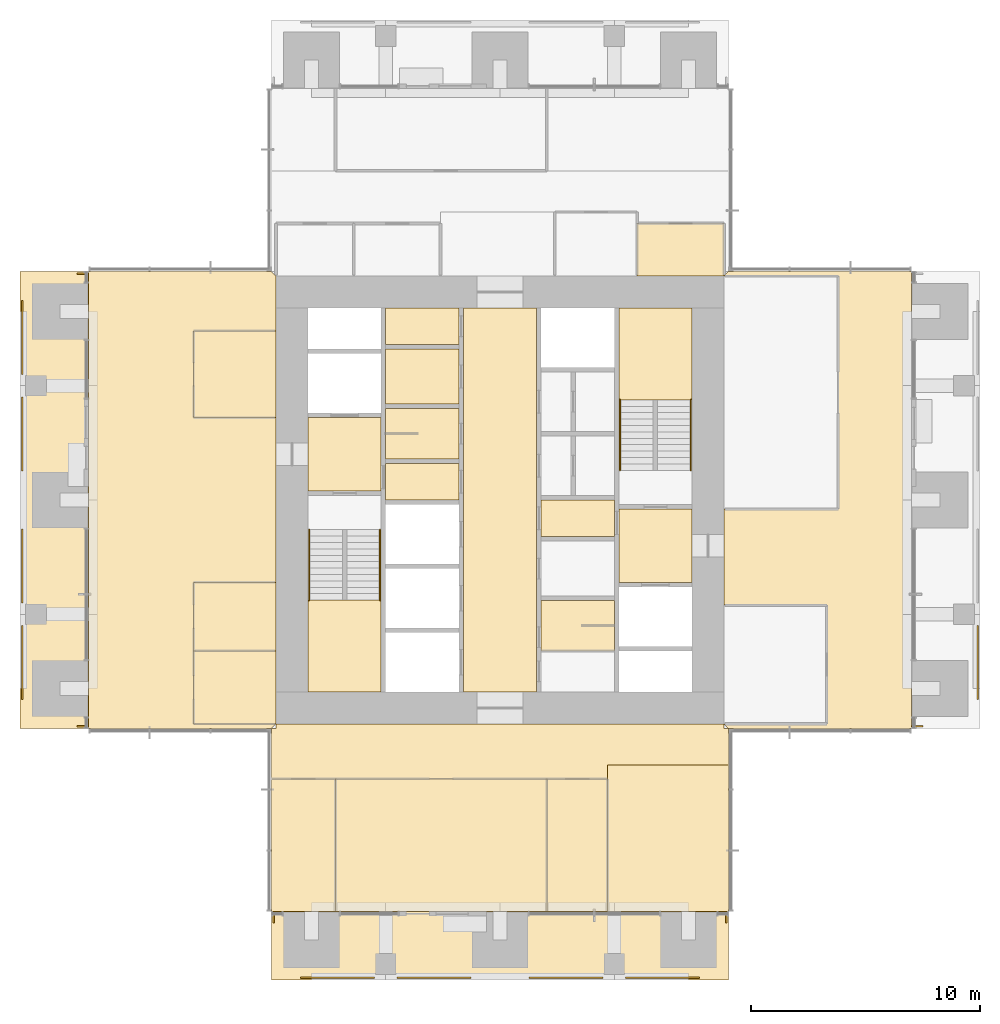
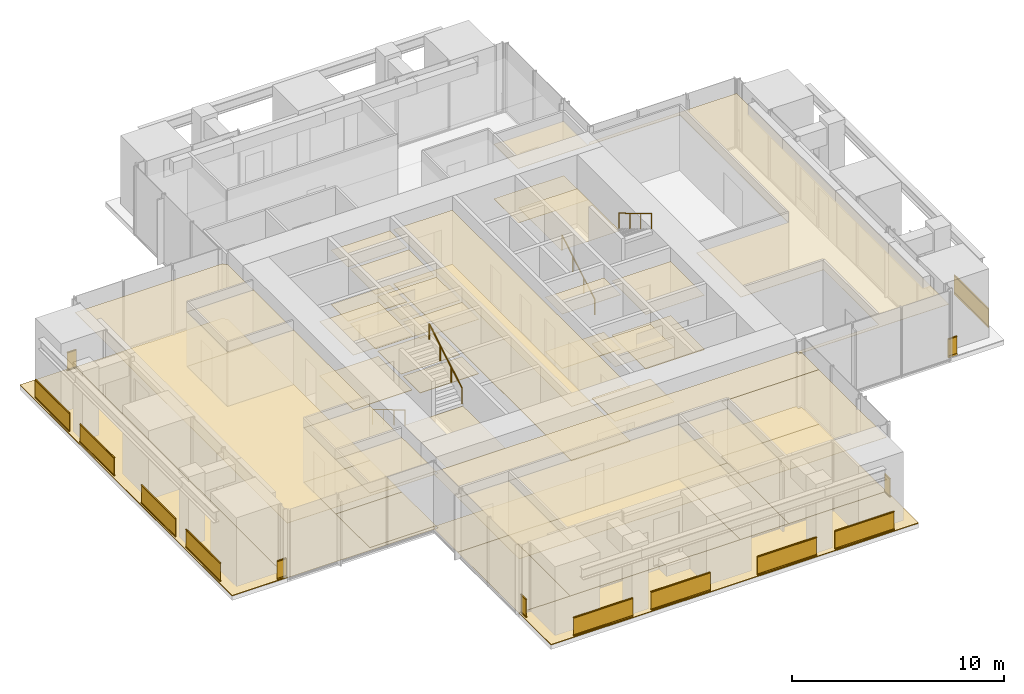
# One storey, part 15 of 17: 43 coverings, 18 railings.
"""IFC4 building model written with IfcOpenShell, lengths in metres."""

from ifc_helpers import new_model, si_unit, direction, frame, origin, origin_2d, place, context, subcontext, project, spatial, polyline, rectangle, circle, outline, extrude, material, layer, layer_set, type_object, element, save


model = new_model("IFC4")

# Units and contexts
model_context = context("Model", 3, precision=1e-05, world=origin(), true_north=direction((0.0, 1.0)))
body_context = subcontext(model_context, "Body", "Model", "MODEL_VIEW")
ifc_project = project(units=[si_unit("LENGTHUNIT", "METRE"), si_unit("AREAUNIT", "SQUARE_METRE"), si_unit("VOLUMEUNIT", "CUBIC_METRE"), si_unit("PLANEANGLEUNIT", "RADIAN"), si_unit("MASSUNIT", "GRAM", prefix="KILO")], contexts=[model_context])

# Site, building, storey
site_placement = place(None, origin())
site = spatial("IfcSite", under=ifc_project, at=site_placement, CompositionType="ELEMENT")
building_placement = place(site_placement, origin())
building = spatial("IfcBuilding", under=site, at=building_placement, Name="Svetlomir Tower", CompositionType="ELEMENT")
storey_placement = place(building_placement, frame((0.0, 0.0, 222.5)))
storey = spatial("IfcBuildingStorey", under=building, at=storey_placement, Name="L53", CompositionType="ELEMENT", Elevation=222.5)

# Railings
ifc_material_1 = material(Name="Bronze anodised aluminium and laminated glass", Category="aluminium")
railing_type_1 = type_object("IfcRailingType", Name="BALCONY GUARD GR1 1100", PredefinedType="GUARDRAIL", material=ifc_material_1)
for number, where, name in (
    (1, (12.27490234375, 0.10009765625, 0.0), "Loggia guard S L53 bay 1"),
    (2, (16.5, 0.10009765625, 0.0), "Loggia guard S L53 bay 2"),
    (3, (22.27490234375, 0.10009765625, 0.0), "Loggia guard S L53 bay 3"),
    (4, (26.5, 0.10009765625, 0.0), "Loggia guard S L53 bay 4"),
):
    element("IfcRailing", number, at=place(storey_placement, frame(where)), inside=storey, type_object=railing_type_1, Name=name, PredefinedType="GUARDRAIL", context=body_context, shape_type="SweptSolid", body=[
        extrude(rectangle(XDim=0.06005859375, YDim=0.10009765625, at=origin_2d()), frame((0.0, 0.0, 0.050048828125), z_axis=(1.0, 0.0, 0.0), x_axis=(0.0, 1.0, 0.0)), (0.0, 0.0, 1.0), 3.22509765625),
        extrude(rectangle(XDim=0.021484375, YDim=0.960205078125, at=origin_2d()), frame((0.0, 0.0, 0.580078125), z_axis=(1.0, 0.0, 0.0), x_axis=(0.0, 1.0, 0.0)), (0.0, 0.0, 1.0), 3.22509765625),
        extrude(rectangle(XDim=0.06005859375, YDim=0.0400390625, at=origin_2d()), frame((0.0, 0.0, 1.080078125), z_axis=(1.0, 0.0, 0.0), x_axis=(0.0, 1.0, 0.0)), (0.0, 0.0, 1.0), 3.22509765625),
    ])
for number, where, name in (
    (5, (11.10009765625, 2.5, 0.0), "Loggia guard S L53 end 1"),
    (6, (30.89990234375, 2.5, 0.0), "Loggia guard S L53 end 2"),
):
    element("IfcRailing", number, at=place(storey_placement, frame(where)), inside=storey, type_object=railing_type_1, Name=name, PredefinedType="GUARDRAIL", context=body_context, shape_type="SweptSolid", body=[
        extrude(rectangle(XDim=0.06005859375, YDim=0.10009765625, at=origin_2d()), frame((0.0, 0.0, 0.050048828125), z_axis=(0.0, 1.0, 0.0), x_axis=(-1.0, 0.0, 0.0)), (0.0, 0.0, 1.0), 0.5),
        extrude(rectangle(XDim=0.021484375, YDim=0.960205078125, at=origin_2d()), frame((0.0, 0.0, 0.580078125), z_axis=(0.0, 1.0, 0.0), x_axis=(-1.0, 0.0, 0.0)), (0.0, 0.0, 1.0), 0.5),
        extrude(rectangle(XDim=0.06005859375, YDim=0.0400390625, at=origin_2d()), frame((0.0, 0.0, 1.080078125), z_axis=(0.0, 1.0, 0.0), x_axis=(-1.0, 0.0, 0.0)), (0.0, 0.0, 1.0), 0.5),
    ])
railing_1_placement = place(storey_placement, frame((41.89990234375, 12.27490234375, 0.0)))
element("IfcRailing", 7, at=railing_1_placement, inside=storey, type_object=railing_type_1, Name="Loggia guard E L53 bay 1", PredefinedType="GUARDRAIL", context=body_context, shape_type="SweptSolid", body=[
    extrude(rectangle(XDim=0.06005859375, YDim=0.10009765625, at=origin_2d()), frame((0.0, 0.0, 0.050048828125), z_axis=(0.0, 1.0, 0.0), x_axis=(-1.0, 0.0, 0.0)), (0.0, 0.0, 1.0), 3.22509765625),
    extrude(rectangle(XDim=0.021484375, YDim=0.960205078125, at=origin_2d()), frame((0.0, 0.0, 0.580078125), z_axis=(0.0, 1.0, 0.0), x_axis=(-1.0, 0.0, 0.0)), (0.0, 0.0, 1.0), 3.22509765625),
    extrude(rectangle(XDim=0.06005859375, YDim=0.0400390625, at=origin_2d()), frame((0.0, 0.0, 1.080078125), z_axis=(0.0, 1.0, 0.0), x_axis=(-1.0, 0.0, 0.0)), (0.0, 0.0, 1.0), 3.22509765625),
])
railing_2_placement = place(storey_placement, frame((39.5, 11.10009765625, 0.0)))
element("IfcRailing", 8, at=railing_2_placement, inside=storey, type_object=railing_type_1, Name="Loggia guard E L53 end 1", PredefinedType="GUARDRAIL", context=body_context, shape_type="SweptSolid", body=[
    extrude(rectangle(XDim=0.06005859375, YDim=0.10009765625, at=origin_2d()), frame((0.0, 0.0, 0.050048828125), z_axis=(-1.0, 0.0, 0.0), x_axis=(0.0, -1.0, 0.0)), (0.0, 0.0, 1.0), 0.5),
    extrude(rectangle(XDim=0.021484375, YDim=0.960205078125, at=origin_2d()), frame((0.0, 0.0, 0.580078125), z_axis=(-1.0, 0.0, 0.0), x_axis=(0.0, -1.0, 0.0)), (0.0, 0.0, 1.0), 0.5),
    extrude(rectangle(XDim=0.06005859375, YDim=0.0400390625, at=origin_2d()), frame((0.0, 0.0, 1.080078125), z_axis=(-1.0, 0.0, 0.0), x_axis=(0.0, -1.0, 0.0)), (0.0, 0.0, 1.0), 0.5),
])
for number, where, name in (
    (9, (0.10009765625, 12.27490234375, 0.0), "Loggia guard W L53 bay 1"),
    (10, (0.10009765625, 16.5, 0.0), "Loggia guard W L53 bay 2"),
    (11, (0.10009765625, 22.27490234375, 0.0), "Loggia guard W L53 bay 3"),
    (12, (0.10009765625, 26.5, 0.0), "Loggia guard W L53 bay 4"),
):
    element("IfcRailing", number, at=place(storey_placement, frame(where)), inside=storey, type_object=railing_type_1, Name=name, PredefinedType="GUARDRAIL", context=body_context, shape_type="SweptSolid", body=[
        extrude(rectangle(XDim=0.06005859375, YDim=0.10009765625, at=origin_2d()), frame((0.0, 0.0, 0.050048828125), z_axis=(0.0, 1.0, 0.0), x_axis=(-1.0, 0.0, 0.0)), (0.0, 0.0, 1.0), 3.22509765625),
        extrude(rectangle(XDim=0.021484375, YDim=0.960205078125, at=origin_2d()), frame((0.0, 0.0, 0.580078125), z_axis=(0.0, 1.0, 0.0), x_axis=(-1.0, 0.0, 0.0)), (0.0, 0.0, 1.0), 3.22509765625),
        extrude(rectangle(XDim=0.06005859375, YDim=0.0400390625, at=origin_2d()), frame((0.0, 0.0, 1.080078125), z_axis=(0.0, 1.0, 0.0), x_axis=(-1.0, 0.0, 0.0)), (0.0, 0.0, 1.0), 3.22509765625),
    ])
for number, where, name in (
    (13, (2.5, 11.10009765625, 0.0), "Loggia guard W L53 end 1"),
    (14, (2.5, 30.89990234375, 0.0), "Loggia guard W L53 end 2"),
):
    element("IfcRailing", number, at=place(storey_placement, frame(where)), inside=storey, type_object=railing_type_1, Name=name, PredefinedType="GUARDRAIL", context=body_context, shape_type="SweptSolid", body=[
        extrude(rectangle(XDim=0.06005859375, YDim=0.10009765625, at=origin_2d()), frame((0.0, 0.0, 0.050048828125), z_axis=(1.0, 0.0, 0.0), x_axis=(0.0, 1.0, 0.0)), (0.0, 0.0, 1.0), 0.5),
        extrude(rectangle(XDim=0.021484375, YDim=0.960205078125, at=origin_2d()), frame((0.0, 0.0, 0.580078125), z_axis=(1.0, 0.0, 0.0), x_axis=(0.0, 1.0, 0.0)), (0.0, 0.0, 1.0), 0.5),
        extrude(rectangle(XDim=0.06005859375, YDim=0.0400390625, at=origin_2d()), frame((0.0, 0.0, 1.080078125), z_axis=(1.0, 0.0, 0.0), x_axis=(0.0, 1.0, 0.0)), (0.0, 0.0, 1.0), 0.5),
    ])

# Coverings
ifc_material_2 = material(Name="Granite paving slabs on pedestals", Category="masonry")
ifc_layer_1 = layer(ifc_material_2, 0.0400390625)
ifc_layer_set_1 = layer_set([ifc_layer_1], Name="Granite paving slabs on pedestals")
covering_type_1 = type_object("IfcCoveringType", Name="BALCONY PAVING 40", PredefinedType="USERDEFINED", material=ifc_layer_set_1)
covering_1_placement = place(storey_placement, origin())
element("IfcCovering", 15, at=covering_1_placement, inside=storey, type_object=covering_type_1, Name="Loggia paving S L53", ObjectType="BALCONY PAVING", PredefinedType="USERDEFINED", context=body_context, shape_type="SweptSolid", body=[
    extrude(outline(polyline([(11.0, 0.0), (31.0, 0.0), (31.0, 3.0), (11.0, 3.0), (11.0, 0.0)])), origin(), (0.0, 0.0, 1.0), 0.0400390625),
])
covering_2_placement = place(storey_placement, origin())
element("IfcCovering", 16, at=covering_2_placement, inside=storey, type_object=covering_type_1, Name="Loggia paving W L53", ObjectType="BALCONY PAVING", PredefinedType="USERDEFINED", context=body_context, shape_type="SweptSolid", body=[
    extrude(outline(polyline([(0.0, 11.0), (3.0, 11.0), (3.0, 31.0), (0.0, 31.0), (0.0, 11.0)])), origin(), (0.0, 0.0, 1.0), 0.0400390625),
])
ifc_material_3 = material(Name="Carpet tile", Category="textile")
ifc_layer_2 = layer(ifc_material_3, 0.010009765625)
ifc_layer_set_2 = layer_set([ifc_layer_2], Name="Carpet tile")
covering_type_2 = type_object("IfcCoveringType", Name="CARPET TILE FLOOR 10", PredefinedType="FLOORING", material=ifc_layer_set_2)
covering_3_placement = place(storey_placement, origin())
element("IfcCovering", 17, at=covering_3_placement, inside=storey, type_object=covering_type_2, Name="Floor finish L53-18", PredefinedType="FLOORING", context=body_context, shape_type="SweptSolid", body=[
    extrude(outline(polyline([(11.0, 3.0), (13.800048828125, 3.0), (13.800048828125, 8.800048828125), (11.0, 8.800048828125), (11.0, 3.0)])), origin(), (0.0, 0.0, 1.0), 0.010009765625),
])
covering_4_placement = place(storey_placement, origin())
element("IfcCovering", 18, at=covering_4_placement, inside=storey, type_object=covering_type_2, Name="Floor finish L53-19", PredefinedType="FLOORING", context=body_context, shape_type="SweptSolid", body=[
    extrude(outline(polyline([(13.800048828125, 3.0), (23.050048828125, 3.0), (23.050048828125, 8.800048828125), (13.800048828125, 8.800048828125), (13.800048828125, 3.0)])), origin(), (0.0, 0.0, 1.0), 0.010009765625),
])
covering_5_placement = place(storey_placement, origin())
element("IfcCovering", 19, at=covering_5_placement, inside=storey, type_object=covering_type_2, Name="Floor finish L53-20", PredefinedType="FLOORING", context=body_context, shape_type="SweptSolid", body=[
    extrude(outline(polyline([(23.050048828125, 3.0), (25.699951171875, 3.0), (25.699951171875, 8.800048828125), (23.050048828125, 8.800048828125), (23.050048828125, 3.0)])), origin(), (0.0, 0.0, 1.0), 0.010009765625),
])
covering_6_placement = place(storey_placement, origin())
element("IfcCovering", 20, at=covering_6_placement, inside=storey, type_object=covering_type_2, Name="Floor finish L53-26", PredefinedType="FLOORING", context=body_context, shape_type="SweptSolid", body=[
    extrude(outline(polyline([(27.0, 30.800048828125), (30.800048828125, 30.800048828125), (30.800048828125, 33.10009765625), (27.0, 33.10009765625), (27.0, 30.800048828125)])), origin(), (0.0, 0.0, 1.0), 0.010009765625),
])
covering_7_placement = place(storey_placement, origin())
element("IfcCovering", 21, at=covering_7_placement, inside=storey, type_object=covering_type_2, Name="Floor finish L53-28", PredefinedType="FLOORING", context=body_context, shape_type="SweptSolid", body=[
    extrude(outline(polyline([(7.60009765625, 11.199951171875), (11.199951171875, 11.199951171875), (11.199951171875, 14.39990234375), (7.60009765625, 14.39990234375), (7.60009765625, 11.199951171875)])), origin(), (0.0, 0.0, 1.0), 0.010009765625),
])
covering_8_placement = place(storey_placement, origin())
element("IfcCovering", 22, at=covering_8_placement, inside=storey, type_object=covering_type_2, Name="Floor finish L53-29", PredefinedType="FLOORING", context=body_context, shape_type="SweptSolid", body=[
    extrude(outline(polyline([(7.60009765625, 14.39990234375), (11.199951171875, 14.39990234375), (11.199951171875, 17.39990234375), (7.60009765625, 17.39990234375), (7.60009765625, 14.39990234375)])), origin(), (0.0, 0.0, 1.0), 0.010009765625),
])
covering_9_placement = place(storey_placement, origin())
element("IfcCovering", 23, at=covering_9_placement, inside=storey, type_object=covering_type_2, Name="Floor finish L53-30", PredefinedType="FLOORING", context=body_context, shape_type="SweptSolid", body=[
    extrude(outline(polyline([(7.60009765625, 24.60009765625), (11.199951171875, 24.60009765625), (11.199951171875, 28.39990234375), (7.60009765625, 28.39990234375), (7.60009765625, 24.60009765625)])), origin(), (0.0, 0.0, 1.0), 0.010009765625),
])
covering_10_placement = place(storey_placement, origin())
element("IfcCovering", 24, at=covering_10_placement, inside=storey, type_object=covering_type_2, Name="Floor finish L53-31", PredefinedType="FLOORING", context=body_context, shape_type="SweptSolid", body=[
    extrude(outline(polyline([(11.0, 11.0), (11.199951171875, 11.0), (11.199951171875, 11.199951171875), (30.800048828125, 11.199951171875), (30.800048828125, 11.0), (31.0, 11.0), (31.0, 9.39990234375), (25.699951171875, 9.39990234375), (25.699951171875, 8.800048828125), (11.0, 8.800048828125), (11.0, 11.0)])), origin(), (0.0, 0.0, 1.0), 0.010009765625),
])
covering_11_placement = place(storey_placement, origin())
element("IfcCovering", 25, at=covering_11_placement, inside=storey, type_object=covering_type_2, Name="Floor finish L53-33", PredefinedType="FLOORING", context=body_context, shape_type="SweptSolid", body=[
    extrude(outline(polyline([(25.699951171875, 3.0), (25.699951171875, 9.39990234375), (31.0, 9.39990234375), (31.0, 3.0), (25.699951171875, 3.0)])), origin(), (0.0, 0.0, 1.0), 0.010009765625),
])
covering_12_placement = place(storey_placement, origin())
element("IfcCovering", 26, at=covering_12_placement, inside=storey, type_object=covering_type_2, Name="Floor finish L53-38", PredefinedType="FLOORING", context=body_context, shape_type="SweptSolid", body=[
    extrude(outline(polyline([(11.199951171875, 28.39990234375), (7.60009765625, 28.39990234375), (7.60009765625, 24.60009765625), (11.199951171875, 24.60009765625), (11.199951171875, 17.39990234375), (7.60009765625, 17.39990234375), (7.60009765625, 11.199951171875), (11.199951171875, 11.199951171875), (11.0, 11.0), (3.0, 11.0), (3.0, 31.0), (11.0, 31.0), (11.199951171875, 30.800048828125), (11.199951171875, 28.39990234375)])), origin(), (0.0, 0.0, 1.0), 0.010009765625),
])
ifc_material_4 = material(Name="Ceramic floor tile", Category="ceramic")
ifc_layer_3 = layer(ifc_material_4, 0.014892578125)
ifc_layer_set_3 = layer_set([ifc_layer_3], Name="Ceramic floor tile")
covering_type_3 = type_object("IfcCoveringType", Name="CERAMIC TILE FLOOR 15", PredefinedType="FLOORING", material=ifc_layer_set_3)
covering_13_placement = place(storey_placement, origin())
element("IfcCovering", 27, at=covering_13_placement, inside=storey, type_object=covering_type_3, Name="Floor finish L53-04", PredefinedType="FLOORING", context=body_context, shape_type="SweptSolid", body=[
    extrude(outline(polyline([(16.0, 22.800048828125), (19.199951171875, 22.800048828125), (19.199951171875, 25.0), (16.0, 25.0), (16.0, 22.800048828125)])), origin(), (0.0, 0.0, 1.0), 0.014892578125),
])
covering_14_placement = place(storey_placement, origin())
element("IfcCovering", 28, at=covering_14_placement, inside=storey, type_object=covering_type_3, Name="Floor finish L53-05", PredefinedType="FLOORING", context=body_context, shape_type="SweptSolid", body=[
    extrude(outline(polyline([(16.0, 25.199951171875), (19.199951171875, 25.199951171875), (19.199951171875, 27.60009765625), (16.0, 27.60009765625), (16.0, 25.199951171875)])), origin(), (0.0, 0.0, 1.0), 0.014892578125),
])
covering_15_placement = place(storey_placement, origin())
element("IfcCovering", 29, at=covering_15_placement, inside=storey, type_object=covering_type_3, Name="Floor finish L53-09", PredefinedType="FLOORING", context=body_context, shape_type="SweptSolid", body=[
    extrude(outline(polyline([(22.800048828125, 14.39990234375), (26.0, 14.39990234375), (26.0, 16.60009765625), (22.800048828125, 16.60009765625), (22.800048828125, 14.39990234375)])), origin(), (0.0, 0.0, 1.0), 0.014892578125),
])

# Railings
ifc_material_5 = material(Name="Stainless steel", Category="steel")
railing_type_2 = type_object("IfcRailingType", Name="HANDRAIL HR1 900", PredefinedType="HANDRAIL", material=ifc_material_5)
railing_3_placement = place(storey_placement, frame((12.64990234375, 19.699951171875, 0.166748046875)))
element("IfcRailing", 30, at=railing_3_placement, inside=storey, type_object=railing_type_2, Name="Handrail S1 flight 1 L53", PredefinedType="HANDRAIL", context=body_context, shape_type="SweptSolid", body=[
    extrude(circle(Radius=0.02392578125, at=origin_2d()), frame((0.0, 0.0, 0.8759765625), z_axis=(0.0, -0.859290745958, 0.51148745235), x_axis=(1.0, 0.0, 0.0)), (0.0, 0.0, 1.0), 3.584228515625),
    extrude(circle(Radius=0.02099609375, at=origin_2d()), origin(), (0.0, 0.0, 1.0), 0.851806640625),
    extrude(circle(Radius=0.02099609375, at=origin_2d()), frame((0.0, -1.026611328125, 0.611083984375)), (0.0, 0.0, 1.0), 0.851806640625),
    extrude(circle(Radius=0.02099609375, at=origin_2d()), frame((0.0, -2.05322265625, 1.22216796875)), (0.0, 0.0, 1.0), 0.851806640625),
    extrude(circle(Radius=0.02099609375, at=origin_2d()), frame((0.0, -3.079833984375, 1.833251953125)), (0.0, 0.0, 1.0), 0.851806640625),
])
for number, where, name in (
    (31, (15.75, 16.6201171875, 2.166748046875), "Handrail S1 flight 2 L53"),
    (32, (26.25, 22.300048828125, 0.166748046875), "Handrail S2 flight 1 L53"),
):
    element("IfcRailing", number, at=place(storey_placement, frame(where)), inside=storey, type_object=railing_type_2, Name=name, PredefinedType="HANDRAIL", context=body_context, shape_type="SweptSolid", body=[
        extrude(circle(Radius=0.02392578125, at=origin_2d()), frame((0.0, 0.0, 0.8759765625), z_axis=(0.0, 0.859290745958, 0.51148745235), x_axis=(-1.0, 0.0, 0.0)), (0.0, 0.0, 1.0), 3.584228515625),
        extrude(circle(Radius=0.02099609375, at=origin_2d()), origin(), (0.0, 0.0, 1.0), 0.851806640625),
        extrude(circle(Radius=0.02099609375, at=origin_2d()), frame((0.0, 1.026611328125, 0.611083984375)), (0.0, 0.0, 1.0), 0.851806640625),
        extrude(circle(Radius=0.02099609375, at=origin_2d()), frame((0.0, 2.05322265625, 1.22216796875)), (0.0, 0.0, 1.0), 0.851806640625),
        extrude(circle(Radius=0.02099609375, at=origin_2d()), frame((0.0, 3.079833984375, 1.833251953125)), (0.0, 0.0, 1.0), 0.851806640625),
    ])
railing_4_placement = place(storey_placement, frame((29.35009765625, 25.3798828125, 2.166748046875)))
element("IfcRailing", 33, at=railing_4_placement, inside=storey, type_object=railing_type_2, Name="Handrail S2 flight 2 L53", PredefinedType="HANDRAIL", context=body_context, shape_type="SweptSolid", body=[
    extrude(circle(Radius=0.02392578125, at=origin_2d()), frame((0.0, 0.0, 0.8759765625), z_axis=(0.0, -0.859290745958, 0.51148745235), x_axis=(1.0, 0.0, 0.0)), (0.0, 0.0, 1.0), 3.584228515625),
    extrude(circle(Radius=0.02099609375, at=origin_2d()), origin(), (0.0, 0.0, 1.0), 0.851806640625),
    extrude(circle(Radius=0.02099609375, at=origin_2d()), frame((0.0, -1.026611328125, 0.611083984375)), (0.0, 0.0, 1.0), 0.851806640625),
    extrude(circle(Radius=0.02099609375, at=origin_2d()), frame((0.0, -2.05322265625, 1.22216796875)), (0.0, 0.0, 1.0), 0.851806640625),
    extrude(circle(Radius=0.02099609375, at=origin_2d()), frame((0.0, -3.079833984375, 1.833251953125)), (0.0, 0.0, 1.0), 0.851806640625),
])

# Coverings
ifc_material_6 = material(Name="Moisture resistant plasterboard ceiling", Category="gypsum")
ifc_layer_4 = layer(ifc_material_6, 0.012451171875)
ifc_layer_set_4 = layer_set([ifc_layer_4], Name="Moisture resistant plasterboard ceiling")
covering_type_4 = type_object("IfcCoveringType", Name="MOISTURE RESISTANT CEILING 12.5", PredefinedType="CEILING", material=ifc_layer_set_4)
covering_16_placement = place(storey_placement, frame((0.0, 0.0, 3.137451171875)))
element("IfcCovering", 34, at=covering_16_placement, inside=storey, type_object=covering_type_4, Name="Ceiling L53-04", PredefinedType="CEILING", context=body_context, shape_type="SweptSolid", body=[
    extrude(outline(polyline([(16.0, 22.800048828125), (19.199951171875, 22.800048828125), (19.199951171875, 25.0), (16.0, 25.0), (16.0, 22.800048828125)])), origin(), (0.0, 0.0, 1.0), 0.012451171875),
])
covering_17_placement = place(storey_placement, frame((0.0, 0.0, 3.137451171875)))
element("IfcCovering", 35, at=covering_17_placement, inside=storey, type_object=covering_type_4, Name="Ceiling L53-05", PredefinedType="CEILING", context=body_context, shape_type="SweptSolid", body=[
    extrude(outline(polyline([(16.0, 25.199951171875), (19.199951171875, 25.199951171875), (19.199951171875, 27.60009765625), (16.0, 27.60009765625), (16.0, 25.199951171875)])), origin(), (0.0, 0.0, 1.0), 0.012451171875),
])
covering_18_placement = place(storey_placement, frame((0.0, 0.0, 3.137451171875)))
element("IfcCovering", 36, at=covering_18_placement, inside=storey, type_object=covering_type_4, Name="Ceiling L53-09", PredefinedType="CEILING", context=body_context, shape_type="SweptSolid", body=[
    extrude(outline(polyline([(22.800048828125, 14.39990234375), (26.0, 14.39990234375), (26.0, 16.60009765625), (22.800048828125, 16.60009765625), (22.800048828125, 14.39990234375)])), origin(), (0.0, 0.0, 1.0), 0.012451171875),
])
ifc_material_7 = material(Name="Gypsum plasterboard ceiling", Category="gypsum")
ifc_layer_5 = layer(ifc_material_7, 0.014892578125)
ifc_layer_set_5 = layer_set([ifc_layer_5], Name="Gypsum plasterboard ceiling")
covering_type_5 = type_object("IfcCoveringType", Name="PLASTERBOARD CEILING 15", PredefinedType="CEILING", material=ifc_layer_set_5)
covering_19_placement = place(storey_placement, frame((0.0, 0.0, 3.135009765625)))
element("IfcCovering", 37, at=covering_19_placement, inside=storey, type_object=covering_type_5, Name="Ceiling L53-02", PredefinedType="CEILING", context=body_context, shape_type="SweptSolid", body=[
    extrude(outline(polyline([(12.60009765625, 21.39990234375), (15.800048828125, 21.39990234375), (15.800048828125, 24.60009765625), (12.60009765625, 24.60009765625), (12.60009765625, 21.39990234375)])), origin(), (0.0, 0.0, 1.0), 0.014892578125),
])
covering_20_placement = place(storey_placement, frame((0.0, 0.0, 3.135009765625)))
element("IfcCovering", 38, at=covering_20_placement, inside=storey, type_object=covering_type_5, Name="Ceiling L53-03", PredefinedType="CEILING", context=body_context, shape_type="SweptSolid", body=[
    extrude(outline(polyline([(16.0, 21.0), (19.199951171875, 21.0), (19.199951171875, 22.60009765625), (16.0, 22.60009765625), (16.0, 21.0)])), origin(), (0.0, 0.0, 1.0), 0.014892578125),
])
covering_21_placement = place(storey_placement, frame((0.0, 0.0, 3.135009765625)))
element("IfcCovering", 39, at=covering_21_placement, inside=storey, type_object=covering_type_5, Name="Ceiling L53-06", PredefinedType="CEILING", context=body_context, shape_type="SweptSolid", body=[
    extrude(outline(polyline([(16.0, 27.800048828125), (19.199951171875, 27.800048828125), (19.199951171875, 29.39990234375), (16.0, 29.39990234375), (16.0, 27.800048828125)])), origin(), (0.0, 0.0, 1.0), 0.014892578125),
])
covering_22_placement = place(storey_placement, frame((0.0, 0.0, 3.135009765625)))
element("IfcCovering", 40, at=covering_22_placement, inside=storey, type_object=covering_type_5, Name="Ceiling L53-07", PredefinedType="CEILING", context=body_context, shape_type="SweptSolid", body=[
    extrude(outline(polyline([(19.39990234375, 12.60009765625), (22.60009765625, 12.60009765625), (22.60009765625, 29.39990234375), (19.39990234375, 29.39990234375), (19.39990234375, 12.60009765625)])), origin(), (0.0, 0.0, 1.0), 0.014892578125),
])
covering_23_placement = place(storey_placement, frame((0.0, 0.0, 3.135009765625)))
element("IfcCovering", 41, at=covering_23_placement, inside=storey, type_object=covering_type_5, Name="Ceiling L53-11", PredefinedType="CEILING", context=body_context, shape_type="SweptSolid", body=[
    extrude(outline(polyline([(22.800048828125, 19.39990234375), (26.0, 19.39990234375), (26.0, 21.0), (22.800048828125, 21.0), (22.800048828125, 19.39990234375)])), origin(), (0.0, 0.0, 1.0), 0.014892578125),
])
covering_24_placement = place(storey_placement, frame((0.0, 0.0, 3.135009765625)))
element("IfcCovering", 42, at=covering_24_placement, inside=storey, type_object=covering_type_5, Name="Ceiling L53-12", PredefinedType="CEILING", context=body_context, shape_type="SweptSolid", body=[
    extrude(outline(polyline([(26.199951171875, 17.39990234375), (29.39990234375, 17.39990234375), (29.39990234375, 20.60009765625), (26.199951171875, 20.60009765625), (26.199951171875, 17.39990234375)])), origin(), (0.0, 0.0, 1.0), 0.014892578125),
])
ifc_material_8 = material(Name="Studded rubber floor finish", Category="rubber")
ifc_layer_6 = layer(ifc_material_8, 0.006103515625)
ifc_layer_set_6 = layer_set([ifc_layer_6], Name="Studded rubber floor finish")
covering_type_6 = type_object("IfcCoveringType", Name="RUBBER LANDING FINISH 6", PredefinedType="FLOORING", material=ifc_layer_set_6)
covering_25_placement = place(storey_placement, frame((0.0, 0.0, 2.0)))
element("IfcCovering", 43, at=covering_25_placement, inside=storey, type_object=covering_type_6, Name="Stair S1 landing finish L53", PredefinedType="FLOORING", context=body_context, shape_type="SweptSolid", body=[
    extrude(outline(polyline([(12.60009765625, 12.60009765625), (15.800048828125, 12.60009765625), (15.800048828125, 16.6201171875), (12.60009765625, 16.6201171875), (12.60009765625, 12.60009765625)])), origin(), (0.0, 0.0, 1.0), 0.006103515625),
])
covering_26_placement = place(storey_placement, frame((0.0, 0.0, 2.0)))
element("IfcCovering", 44, at=covering_26_placement, inside=storey, type_object=covering_type_6, Name="Stair S2 landing finish L53", PredefinedType="FLOORING", context=body_context, shape_type="SweptSolid", body=[
    extrude(outline(polyline([(26.199951171875, 25.3798828125), (29.39990234375, 25.3798828125), (29.39990234375, 29.39990234375), (26.199951171875, 29.39990234375), (26.199951171875, 25.3798828125)])), origin(), (0.0, 0.0, 1.0), 0.006103515625),
])
ifc_material_9 = material(Name="Mineral fibre ceiling tile", Category="mineral")
ifc_layer_7 = layer(ifc_material_9, 0.02001953125)
ifc_layer_set_7 = layer_set([ifc_layer_7], Name="Mineral fibre ceiling tile")
covering_type_7 = type_object("IfcCoveringType", Name="SUSPENDED CEILING 20", PredefinedType="CEILING", material=ifc_layer_set_7)
covering_27_placement = place(storey_placement, frame((0.0, 0.0, 3.1298828125)))
element("IfcCovering", 45, at=covering_27_placement, inside=storey, type_object=covering_type_7, Name="Ceiling L53-18", PredefinedType="CEILING", context=body_context, shape_type="SweptSolid", body=[
    extrude(outline(polyline([(11.0, 3.0), (13.800048828125, 3.0), (13.800048828125, 8.800048828125), (11.0, 8.800048828125), (11.0, 3.0)])), origin(), (0.0, 0.0, 1.0), 0.02001953125),
])
covering_28_placement = place(storey_placement, frame((0.0, 0.0, 3.1298828125)))
element("IfcCovering", 46, at=covering_28_placement, inside=storey, type_object=covering_type_7, Name="Ceiling L53-19", PredefinedType="CEILING", context=body_context, shape_type="SweptSolid", body=[
    extrude(outline(polyline([(13.800048828125, 3.0), (23.050048828125, 3.0), (23.050048828125, 8.800048828125), (13.800048828125, 8.800048828125), (13.800048828125, 3.0)])), origin(), (0.0, 0.0, 1.0), 0.02001953125),
])
covering_29_placement = place(storey_placement, frame((0.0, 0.0, 3.1298828125)))
element("IfcCovering", 47, at=covering_29_placement, inside=storey, type_object=covering_type_7, Name="Ceiling L53-20", PredefinedType="CEILING", context=body_context, shape_type="SweptSolid", body=[
    extrude(outline(polyline([(23.050048828125, 3.0), (25.699951171875, 3.0), (25.699951171875, 8.800048828125), (23.050048828125, 8.800048828125), (23.050048828125, 3.0)])), origin(), (0.0, 0.0, 1.0), 0.02001953125),
])
covering_30_placement = place(storey_placement, frame((0.0, 0.0, 3.1298828125)))
element("IfcCovering", 48, at=covering_30_placement, inside=storey, type_object=covering_type_7, Name="Ceiling L53-26", PredefinedType="CEILING", context=body_context, shape_type="SweptSolid", body=[
    extrude(outline(polyline([(27.0, 30.800048828125), (30.800048828125, 30.800048828125), (30.800048828125, 33.10009765625), (27.0, 33.10009765625), (27.0, 30.800048828125)])), origin(), (0.0, 0.0, 1.0), 0.02001953125),
])
covering_31_placement = place(storey_placement, frame((0.0, 0.0, 3.1298828125)))
element("IfcCovering", 49, at=covering_31_placement, inside=storey, type_object=covering_type_7, Name="Ceiling L53-28", PredefinedType="CEILING", context=body_context, shape_type="SweptSolid", body=[
    extrude(outline(polyline([(7.60009765625, 11.199951171875), (11.199951171875, 11.199951171875), (11.199951171875, 14.39990234375), (7.60009765625, 14.39990234375), (7.60009765625, 11.199951171875)])), origin(), (0.0, 0.0, 1.0), 0.02001953125),
])
covering_32_placement = place(storey_placement, frame((0.0, 0.0, 3.1298828125)))
element("IfcCovering", 50, at=covering_32_placement, inside=storey, type_object=covering_type_7, Name="Ceiling L53-29", PredefinedType="CEILING", context=body_context, shape_type="SweptSolid", body=[
    extrude(outline(polyline([(7.60009765625, 14.39990234375), (11.199951171875, 14.39990234375), (11.199951171875, 17.39990234375), (7.60009765625, 17.39990234375), (7.60009765625, 14.39990234375)])), origin(), (0.0, 0.0, 1.0), 0.02001953125),
])
covering_33_placement = place(storey_placement, frame((0.0, 0.0, 3.1298828125)))
element("IfcCovering", 51, at=covering_33_placement, inside=storey, type_object=covering_type_7, Name="Ceiling L53-30", PredefinedType="CEILING", context=body_context, shape_type="SweptSolid", body=[
    extrude(outline(polyline([(7.60009765625, 24.60009765625), (11.199951171875, 24.60009765625), (11.199951171875, 28.39990234375), (7.60009765625, 28.39990234375), (7.60009765625, 24.60009765625)])), origin(), (0.0, 0.0, 1.0), 0.02001953125),
])
covering_34_placement = place(storey_placement, frame((0.0, 0.0, 3.1298828125)))
element("IfcCovering", 52, at=covering_34_placement, inside=storey, type_object=covering_type_7, Name="Ceiling L53-31", PredefinedType="CEILING", context=body_context, shape_type="SweptSolid", body=[
    extrude(outline(polyline([(11.0, 11.0), (11.199951171875, 11.0), (11.199951171875, 11.199951171875), (30.800048828125, 11.199951171875), (30.800048828125, 11.0), (31.0, 11.0), (31.0, 9.39990234375), (25.699951171875, 9.39990234375), (25.699951171875, 8.800048828125), (11.0, 8.800048828125), (11.0, 11.0)])), origin(), (0.0, 0.0, 1.0), 0.02001953125),
])
covering_35_placement = place(storey_placement, frame((0.0, 0.0, 3.1298828125)))
element("IfcCovering", 53, at=covering_35_placement, inside=storey, type_object=covering_type_7, Name="Ceiling L53-33", PredefinedType="CEILING", context=body_context, shape_type="SweptSolid", body=[
    extrude(outline(polyline([(25.699951171875, 3.0), (25.699951171875, 9.39990234375), (31.0, 9.39990234375), (31.0, 3.0), (25.699951171875, 3.0)])), origin(), (0.0, 0.0, 1.0), 0.02001953125),
])
covering_36_placement = place(storey_placement, frame((0.0, 0.0, 3.1298828125)))
element("IfcCovering", 54, at=covering_36_placement, inside=storey, type_object=covering_type_7, Name="Ceiling L53-34", PredefinedType="CEILING", context=body_context, shape_type="SweptSolid", body=[
    extrude(outline(polyline([(30.800048828125, 30.800048828125), (31.0, 31.0), (39.0, 31.0), (39.0, 11.0), (31.0, 11.0), (30.800048828125, 11.199951171875), (35.300048828125, 11.199951171875), (35.300048828125, 16.39990234375), (30.800048828125, 16.39990234375), (30.800048828125, 20.60009765625), (35.800048828125, 20.60009765625), (35.800048828125, 30.800048828125), (30.800048828125, 30.800048828125)])), origin(), (0.0, 0.0, 1.0), 0.02001953125),
])
covering_37_placement = place(storey_placement, frame((0.0, 0.0, 3.1298828125)))
element("IfcCovering", 55, at=covering_37_placement, inside=storey, type_object=covering_type_7, Name="Ceiling L53-38", PredefinedType="CEILING", context=body_context, shape_type="SweptSolid", body=[
    extrude(outline(polyline([(11.199951171875, 28.39990234375), (7.60009765625, 28.39990234375), (7.60009765625, 24.60009765625), (11.199951171875, 24.60009765625), (11.199951171875, 17.39990234375), (7.60009765625, 17.39990234375), (7.60009765625, 11.199951171875), (11.199951171875, 11.199951171875), (11.0, 11.0), (3.0, 11.0), (3.0, 31.0), (11.0, 31.0), (11.199951171875, 30.800048828125), (11.199951171875, 28.39990234375)])), origin(), (0.0, 0.0, 1.0), 0.02001953125),
])
ifc_material_10 = material(Name="Bronze-aggregate terrazzo", Category="stone")
ifc_layer_8 = layer(ifc_material_10, 0.030029296875)
ifc_layer_set_8 = layer_set([ifc_layer_8], Name="Bronze-aggregate terrazzo")
covering_type_8 = type_object("IfcCoveringType", Name="TERRAZZO FLOOR 30", PredefinedType="FLOORING", material=ifc_layer_set_8)
covering_38_placement = place(storey_placement, origin())
element("IfcCovering", 56, at=covering_38_placement, inside=storey, type_object=covering_type_8, Name="Floor finish L53-02", PredefinedType="FLOORING", context=body_context, shape_type="SweptSolid", body=[
    extrude(outline(polyline([(12.60009765625, 21.39990234375), (15.800048828125, 21.39990234375), (15.800048828125, 24.60009765625), (12.60009765625, 24.60009765625), (12.60009765625, 21.39990234375)])), origin(), (0.0, 0.0, 1.0), 0.030029296875),
])
covering_39_placement = place(storey_placement, origin())
element("IfcCovering", 57, at=covering_39_placement, inside=storey, type_object=covering_type_8, Name="Floor finish L53-03", PredefinedType="FLOORING", context=body_context, shape_type="SweptSolid", body=[
    extrude(outline(polyline([(16.0, 21.0), (19.199951171875, 21.0), (19.199951171875, 22.60009765625), (16.0, 22.60009765625), (16.0, 21.0)])), origin(), (0.0, 0.0, 1.0), 0.030029296875),
])
covering_40_placement = place(storey_placement, origin())
element("IfcCovering", 58, at=covering_40_placement, inside=storey, type_object=covering_type_8, Name="Floor finish L53-06", PredefinedType="FLOORING", context=body_context, shape_type="SweptSolid", body=[
    extrude(outline(polyline([(16.0, 27.800048828125), (19.199951171875, 27.800048828125), (19.199951171875, 29.39990234375), (16.0, 29.39990234375), (16.0, 27.800048828125)])), origin(), (0.0, 0.0, 1.0), 0.030029296875),
])
covering_41_placement = place(storey_placement, origin())
element("IfcCovering", 59, at=covering_41_placement, inside=storey, type_object=covering_type_8, Name="Floor finish L53-07", PredefinedType="FLOORING", context=body_context, shape_type="SweptSolid", body=[
    extrude(outline(polyline([(19.39990234375, 12.60009765625), (22.60009765625, 12.60009765625), (22.60009765625, 29.39990234375), (19.39990234375, 29.39990234375), (19.39990234375, 12.60009765625)])), origin(), (0.0, 0.0, 1.0), 0.030029296875),
])
covering_42_placement = place(storey_placement, origin())
element("IfcCovering", 60, at=covering_42_placement, inside=storey, type_object=covering_type_8, Name="Floor finish L53-11", PredefinedType="FLOORING", context=body_context, shape_type="SweptSolid", body=[
    extrude(outline(polyline([(22.800048828125, 19.39990234375), (26.0, 19.39990234375), (26.0, 21.0), (22.800048828125, 21.0), (22.800048828125, 19.39990234375)])), origin(), (0.0, 0.0, 1.0), 0.030029296875),
])
covering_43_placement = place(storey_placement, origin())
element("IfcCovering", 61, at=covering_43_placement, inside=storey, type_object=covering_type_8, Name="Floor finish L53-12", PredefinedType="FLOORING", context=body_context, shape_type="SweptSolid", body=[
    extrude(outline(polyline([(26.199951171875, 17.39990234375), (29.39990234375, 17.39990234375), (29.39990234375, 20.60009765625), (26.199951171875, 20.60009765625), (26.199951171875, 17.39990234375)])), origin(), (0.0, 0.0, 1.0), 0.030029296875),
])

save(model, "model.ifc")
